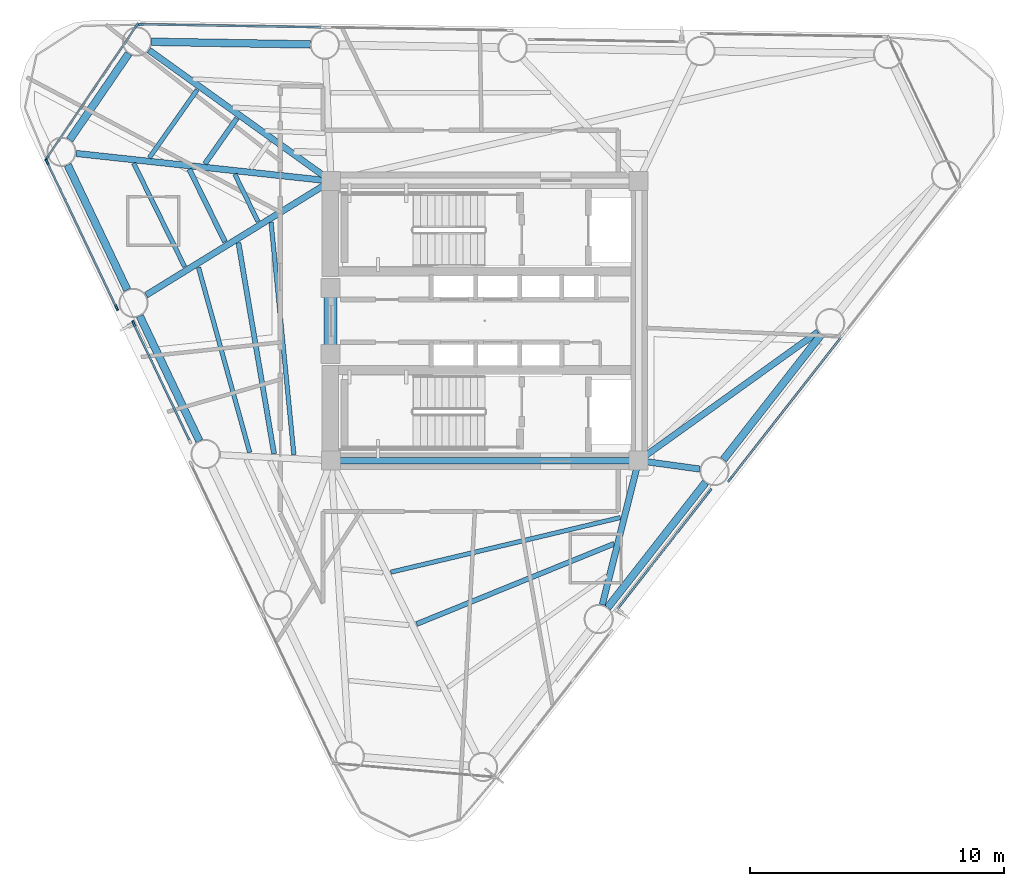
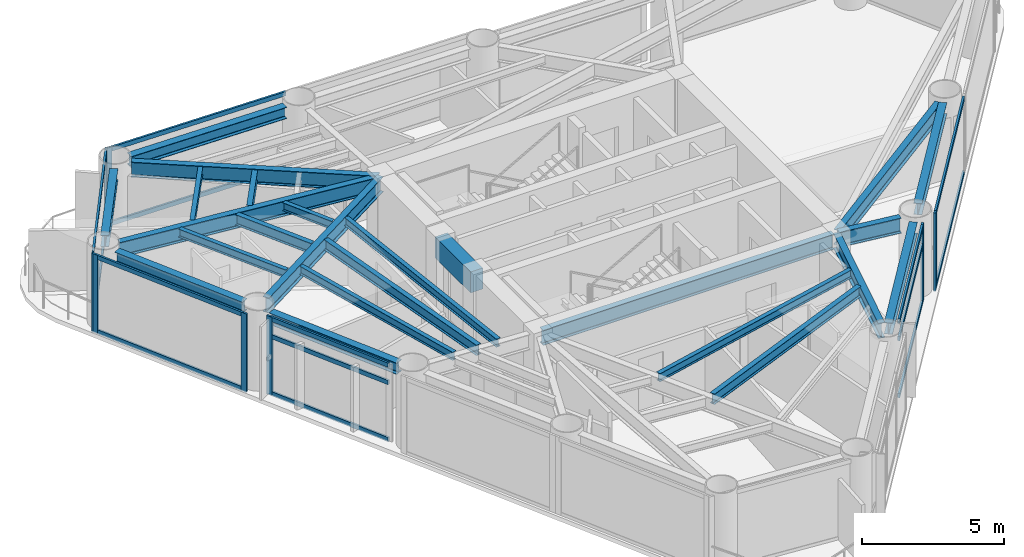
# One storey, part 2 of 10: 24 beams, 22 members, 6 elements without a shape of their own.
"""IFC4 building model written with IfcOpenShell, lengths in metres."""

from ifc_helpers import new_model, si_unit, direction, frame, origin, origin_2d, place, context, subcontext, project, spatial, rectangle, i_section, extrude, source, transform, mapped, material, layer, layer_set, material_profile, profile_set, type_object, element, aggregate, save


model = new_model("IFC4")

# Units and contexts
model_context = context("Model", 3, precision=1e-05, world=origin(), true_north=direction((0.0, 1.0)))
body_context = subcontext(model_context, "Body", "Model", "MODEL_VIEW")
ifc_project = project(units=[si_unit("LENGTHUNIT", "METRE"), si_unit("AREAUNIT", "SQUARE_METRE"), si_unit("VOLUMEUNIT", "CUBIC_METRE"), si_unit("PLANEANGLEUNIT", "RADIAN"), si_unit("MASSUNIT", "GRAM", prefix="KILO")], contexts=[model_context])

# Site, building, storey
site_placement = place(None, origin())
site = spatial("IfcSite", under=ifc_project, at=site_placement, CompositionType="ELEMENT")
building_placement = place(site_placement, origin())
building = spatial("IfcBuilding", under=site, at=building_placement, Name="Yunling Apex Tower", CompositionType="ELEMENT")
storey_placement = place(building_placement, frame((0.0, 0.0, 191.449951171875)))
storey = spatial("IfcBuildingStorey", under=building, at=storey_placement, Name="L46", CompositionType="ELEMENT", Elevation=191.449951171875)

# Beams
ifc_material_1 = material(Name="Concrete C50", Category="concrete")
ifc_material_profile_1 = material_profile(ifc_material_1, rectangle(XDim=0.5, YDim=0.89990234375, at=origin_2d()))
ifc_profile_set_1 = profile_set([ifc_material_profile_1], Name="Concrete C50")
beam_type_1 = type_object("IfcBeamType", Name="BC-CPL-2", PredefinedType="BEAM", material=ifc_profile_set_1)
shared_shape_1 = source(origin(), body_context, "Body", "SweptSolid", [
    extrude(rectangle(XDim=0.5, YDim=0.89990234375, at=origin_2d()), origin(), (0.0, 0.0, 1.0), 2.5),
])
beam_1_placement = place(storey_placement, frame((-6.074951171875, -1.25, 2.820068359375), z_axis=(0.0, 1.0, 0.0), x_axis=(-1.0, 0.0, 0.0)))
element("IfcBeam", 1, at=beam_1_placement, inside=storey, type_object=beam_type_1, Name="L46 Core West Portal Coupling Beam", PredefinedType="BEAM", context=body_context, shape_type="MappedRepresentation", body=[
    mapped(shared_shape_1, transform((0.0, 0.0, 0.0), scale=1.0)),
])
ifc_material_2 = material(Name="Steel Q355B", Category="steel")
ifc_material_profile_2 = material_profile(ifc_material_2, i_section(OverallWidth=0.25, OverallDepth=0.64990234375, WebThickness=0.011962890625, FlangeThickness=0.02001953125, FilletRadius=0.02392578125, at=origin_2d()))
ifc_profile_set_2 = profile_set([ifc_material_profile_2], Name="Steel Q355B")
beam_type_2 = type_object("IfcBeamType", Name="BG-PRI-4", PredefinedType="USERDEFINED", material=ifc_profile_set_2)
shared_shape_2 = source(origin(), body_context, "Body", "SweptSolid", [
    extrude(i_section(OverallWidth=0.25, OverallDepth=0.64990234375, WebThickness=0.011962890625, FlangeThickness=0.02001953125, FilletRadius=0.02392578125, at=origin_2d()), origin(), (0.0, 0.0, 1.0), 11.7998046875),
])
beam_2_placement = place(storey_placement, frame((-5.89990234375, -5.5, 2.945068359375), z_axis=(1.0, 0.0, 0.0), x_axis=(0.0, 1.0, 0.0)))
element("IfcBeam", 2, at=beam_2_placement, inside=storey, type_object=beam_type_2, Name="L46 Core Ring Tie Beam 1", ObjectType="GIRDER", PredefinedType="USERDEFINED", context=body_context, shape_type="MappedRepresentation", body=[
    mapped(shared_shape_2, transform((0.0, 0.0, 0.0), scale=1.0)),
])
ifc_material_profile_3 = material_profile(ifc_material_2, i_section(OverallWidth=0.300048828125, OverallDepth=0.489990234375, WebThickness=0.010986328125, FlangeThickness=0.01806640625, FilletRadius=0.02197265625, at=origin_2d()))
ifc_profile_set_3 = profile_set([ifc_material_profile_3], Name="Steel Q355B")
beam_type_3 = type_object("IfcBeamType", Name="BP-SPN-2", PredefinedType="SPANDREL", material=ifc_profile_set_3)
shared_shape_3 = source(origin(), body_context, "Body", "SweptSolid", [
    extrude(i_section(OverallWidth=0.300048828125, OverallDepth=0.489990234375, WebThickness=0.010986328125, FlangeThickness=0.01806640625, FilletRadius=0.02197265625, at=origin_2d()), origin(), (0.0, 0.0, 1.0), 6.253173828125),
])
for number, where, z_axis, x_axis, name in (
    (3, (4.831298828125, -11.2841796875, 3.025146484375), (0.61621666878, 0.787576673803, 0.0), (-0.787576673803, 0.61621666878, 0.0), "L46 Perimeter Spandrel Beam 2"),
    (4, (9.3857421875, -5.463134765625, 3.025146484375), (0.61621666878, 0.787576673803, 0.0), (-0.787576673803, 0.61621666878, 0.0), "L46 Perimeter Spandrel Beam 3"),
    (5, (-6.86669921875, 10.875, 3.025146484375), (-0.999859061432, 0.016788605428, 0.0), (-0.016788605428, -0.999859061432, 0.0), "L46 Perimeter Spandrel Beam 9"),
):
    element("IfcBeam", number, at=place(storey_placement, frame(where, z_axis=z_axis, x_axis=x_axis)), inside=storey, type_object=beam_type_3, Name=name, PredefinedType="SPANDREL", context=body_context, shape_type="MappedRepresentation", body=[
        mapped(shared_shape_3, transform((0.0, 0.0, 0.0), scale=1.0)),
    ])
shared_shape_4 = source(origin(), body_context, "Body", "SweptSolid", [
    extrude(i_section(OverallWidth=0.300048828125, OverallDepth=0.489990234375, WebThickness=0.010986328125, FlangeThickness=0.01806640625, FilletRadius=0.02197265625, at=origin_2d()), origin(), (0.0, 0.0, 1.0), 4.121337890625),
])
beam_3_placement = place(storey_placement, frame((-14.009033203125, 10.519775390625, 3.025146484375), z_axis=(-0.564775228093, -0.825244776858, 0.0), x_axis=(0.825244776858, -0.564775228093, 0.0)))
element("IfcBeam", 6, at=beam_3_placement, inside=storey, type_object=beam_type_3, Name="L46 Perimeter Spandrel Beam 10", PredefinedType="SPANDREL", context=body_context, shape_type="MappedRepresentation", body=[
    mapped(shared_shape_4, transform((0.0, 0.0, 0.0), scale=1.0)),
])
shared_shape_5 = source(origin(), body_context, "Body", "SweptSolid", [
    extrude(i_section(OverallWidth=0.300048828125, OverallDepth=0.489990234375, WebThickness=0.010986328125, FlangeThickness=0.01806640625, FilletRadius=0.02197265625, at=origin_2d()), origin(), (0.0, 0.0, 1.0), 5.4482421875),
])
for number, where, z_axis, x_axis, name in (
    (7, (-16.4130859375, 6.135498046875, 3.025146484375), (0.430538797564, -0.902572071246, 0.0), (0.902572071246, 0.430538797564, 0.0), "L46 Perimeter Spandrel Beam 11"),
    (8, (-13.577392578125, 0.190673828125, 3.025146484375), (0.430502292287, -0.902589483839, 0.0), (0.902589483839, 0.430502292287, 0.0), "L46 Perimeter Spandrel Beam 12"),
):
    element("IfcBeam", number, at=place(storey_placement, frame(where, z_axis=z_axis, x_axis=x_axis)), inside=storey, type_object=beam_type_3, Name=name, PredefinedType="SPANDREL", context=body_context, shape_type="MappedRepresentation", body=[
        mapped(shared_shape_5, transform((0.0, 0.0, 0.0), scale=1.0)),
    ])
shared_shape_6 = source(origin(), body_context, "Body", "SweptSolid", [
    extrude(i_section(OverallWidth=0.25, OverallDepth=0.64990234375, WebThickness=0.011962890625, FlangeThickness=0.02001953125, FilletRadius=0.02392578125, at=origin_2d()), origin(), (0.0, 0.0, 1.0), 5.763427734375),
])
beam_4_placement = place(storey_placement, frame((4.623291015625, -11.166748046875, 2.945068359375), z_axis=(0.244159894622, 0.969734987436, 0.0), x_axis=(-0.969734987436, 0.244159894622, 0.0)))
element("IfcBeam", 9, at=beam_4_placement, inside=storey, type_object=beam_type_2, Name="L46 Radial Primary Girder R02", ObjectType="GIRDER", PredefinedType="USERDEFINED", context=body_context, shape_type="MappedRepresentation", body=[
    mapped(shared_shape_6, transform((0.0, 0.0, 0.0), scale=1.0)),
])
shared_shape_7 = source(origin(), body_context, "Body", "SweptSolid", [
    extrude(i_section(OverallWidth=0.25, OverallDepth=0.64990234375, WebThickness=0.011962890625, FlangeThickness=0.02001953125, FilletRadius=0.02392578125, at=origin_2d()), origin(), (0.0, 0.0, 1.0), 2.35009765625),
])
beam_5_placement = place(storey_placement, frame((8.45751953125, -5.831787109375, 2.945068359375), z_axis=(-0.990639545436, 0.136503813203, 0.0), x_axis=(-0.136503813203, -0.990639545436, 0.0)))
element("IfcBeam", 10, at=beam_5_placement, inside=storey, type_object=beam_type_2, Name="L46 Radial Primary Girder R03", ObjectType="GIRDER", PredefinedType="USERDEFINED", context=body_context, shape_type="MappedRepresentation", body=[
    mapped(shared_shape_7, transform((0.0, 0.0, 0.0), scale=1.0)),
])
shared_shape_8 = source(origin(), body_context, "Body", "SweptSolid", [
    extrude(i_section(OverallWidth=0.25, OverallDepth=0.64990234375, WebThickness=0.011962890625, FlangeThickness=0.02001953125, FilletRadius=0.02392578125, at=origin_2d()), origin(), (0.0, 0.0, 1.0), 8.616455078125),
])
beam_6_placement = place(storey_placement, frame((13.11572265625, -0.43017578125, 2.945068359375), z_axis=(-0.812487192657, -0.58297904059, 0.0), x_axis=(0.58297904059, -0.812487192657, 0.0)))
element("IfcBeam", 11, at=beam_6_placement, inside=storey, type_object=beam_type_2, Name="L46 Radial Primary Girder R04", ObjectType="GIRDER", PredefinedType="USERDEFINED", context=body_context, shape_type="MappedRepresentation", body=[
    mapped(shared_shape_8, transform((0.0, 0.0, 0.0), scale=1.0)),
])
shared_shape_9 = source(origin(), body_context, "Body", "SweptSolid", [
    extrude(i_section(OverallWidth=0.25, OverallDepth=0.64990234375, WebThickness=0.011962890625, FlangeThickness=0.02001953125, FilletRadius=0.02392578125, at=origin_2d()), origin(), (0.0, 0.0, 1.0), 8.742919921875),
])
beam_7_placement = place(storey_placement, frame((-13.21435546875, 10.649169921875, 2.945068359375), z_axis=(0.812022401907, -0.583626266373, 0.0), x_axis=(0.583626266373, 0.812022401907, 0.0)))
element("IfcBeam", 12, at=beam_7_placement, inside=storey, type_object=beam_type_2, Name="L46 Radial Primary Girder R10", ObjectType="GIRDER", PredefinedType="USERDEFINED", context=body_context, shape_type="MappedRepresentation", body=[
    mapped(shared_shape_9, transform((0.0, 0.0, 0.0), scale=1.0)),
])
shared_shape_10 = source(origin(), body_context, "Body", "SweptSolid", [
    extrude(i_section(OverallWidth=0.25, OverallDepth=0.64990234375, WebThickness=0.011962890625, FlangeThickness=0.02001953125, FilletRadius=0.02392578125, at=origin_2d()), origin(), (0.0, 0.0, 1.0), 10.007080078125),
])
beam_8_placement = place(storey_placement, frame((-16.078369140625, 6.586181640625, 2.945068359375), z_axis=(0.994184902243, -0.107686490111, 0.0), x_axis=(0.107686490111, 0.994184902243, 0.0)))
element("IfcBeam", 13, at=beam_8_placement, inside=storey, type_object=beam_type_2, Name="L46 Radial Primary Girder R11", ObjectType="GIRDER", PredefinedType="USERDEFINED", context=body_context, shape_type="MappedRepresentation", body=[
    mapped(shared_shape_10, transform((0.0, 0.0, 0.0), scale=1.0)),
])
shared_shape_11 = source(origin(), body_context, "Body", "SweptSolid", [
    extrude(i_section(OverallWidth=0.25, OverallDepth=0.64990234375, WebThickness=0.011962890625, FlangeThickness=0.02001953125, FilletRadius=0.02392578125, at=origin_2d()), origin(), (0.0, 0.0, 1.0), 8.4697265625),
])
beam_9_placement = place(storey_placement, frame((-13.326171875, 1.010498046875, 2.945068359375), z_axis=(0.851035190572, 0.525108659621, 0.0), x_axis=(-0.525108659621, 0.851035190572, 0.0)))
element("IfcBeam", 14, at=beam_9_placement, inside=storey, type_object=beam_type_2, Name="L46 Radial Primary Girder R12", ObjectType="GIRDER", PredefinedType="USERDEFINED", context=body_context, shape_type="MappedRepresentation", body=[
    mapped(shared_shape_11, transform((0.0, 0.0, 0.0), scale=1.0)),
])
ifc_material_profile_4 = material_profile(ifc_material_2, i_section(OverallWidth=0.199951171875, OverallDepth=0.449951171875, WebThickness=0.009033203125, FlangeThickness=0.013916015625, FilletRadius=0.01806640625, at=origin_2d()))
ifc_profile_set_4 = profile_set([ifc_material_profile_4], Name="Steel Q355B")
beam_type_4 = type_object("IfcBeamType", Name="BS-SEC-3", PredefinedType="BEAM", material=ifc_profile_set_4)
shared_shape_12 = source(origin(), body_context, "Body", "SweptSolid", [
    extrude(i_section(OverallWidth=0.199951171875, OverallDepth=0.449951171875, WebThickness=0.009033203125, FlangeThickness=0.013916015625, FilletRadius=0.01806640625, at=origin_2d()), origin(), (0.0, 0.0, 1.0), 8.396240234375),
])
beam_10_placement = place(storey_placement, frame((-2.684326171875, -11.9287109375, 3.045166015625), z_axis=(0.926431402479, 0.376463619092, 0.0), x_axis=(-0.376463619092, 0.926431402479, 0.0)))
element("IfcBeam", 15, at=beam_10_placement, inside=storey, type_object=beam_type_4, Name="L46 Composite Floor Beam BS-1", PredefinedType="BEAM", context=body_context, shape_type="MappedRepresentation", body=[
    mapped(shared_shape_12, transform((0.0, 0.0, 0.0), scale=1.0)),
])
ifc_material_profile_5 = material_profile(ifc_material_2, i_section(OverallWidth=0.175048828125, OverallDepth=0.35009765625, WebThickness=0.007080078125, FlangeThickness=0.010986328125, FilletRadius=0.013916015625, at=origin_2d()))
ifc_profile_set_5 = profile_set([ifc_material_profile_5], Name="Steel Q355B")
beam_type_5 = type_object("IfcBeamType", Name="BJ-JST-1", PredefinedType="JOIST", material=ifc_profile_set_5)
shared_shape_13 = source(origin(), body_context, "Body", "SweptSolid", [
    extrude(i_section(OverallWidth=0.175048828125, OverallDepth=0.35009765625, WebThickness=0.007080078125, FlangeThickness=0.010986328125, FilletRadius=0.013916015625, at=origin_2d()), origin(), (0.0, 0.0, 1.0), 9.2919921875),
])
beam_11_placement = place(storey_placement, frame((-3.69970703125, -9.88916015625, 3.094970703125), z_axis=(0.972847358166, 0.231447656523, 0.0), x_axis=(-0.231447656523, 0.972847358166, 0.0)))
element("IfcBeam", 16, at=beam_11_placement, inside=storey, type_object=beam_type_5, Name="L46 Composite Floor Joist BJ3-1", PredefinedType="JOIST", context=body_context, shape_type="MappedRepresentation", body=[
    mapped(shared_shape_13, transform((0.0, 0.0, 0.0), scale=1.0)),
])
shared_shape_14 = source(origin(), body_context, "Body", "SweptSolid", [
    extrude(i_section(OverallWidth=0.199951171875, OverallDepth=0.449951171875, WebThickness=0.009033203125, FlangeThickness=0.013916015625, FilletRadius=0.01806640625, at=origin_2d()), origin(), (0.0, 0.0, 1.0), 2.18505859375),
])
beam_12_placement = place(storey_placement, frame((-9.756591796875, 7.966796875, 3.045166015625), z_axis=(-0.57454920808, -0.818470040682, 0.0), x_axis=(0.818470040682, -0.57454920808, 0.0)))
element("IfcBeam", 17, at=beam_12_placement, inside=storey, type_object=beam_type_4, Name="L46 Composite Floor Beam BS-10", PredefinedType="BEAM", context=body_context, shape_type="MappedRepresentation", body=[
    mapped(shared_shape_14, transform((0.0, 0.0, 0.0), scale=1.0)),
])
shared_shape_15 = source(origin(), body_context, "Body", "SweptSolid", [
    extrude(i_section(OverallWidth=0.175048828125, OverallDepth=0.35009765625, WebThickness=0.007080078125, FlangeThickness=0.010986328125, FilletRadius=0.013916015625, at=origin_2d()), origin(), (0.0, 0.0, 1.0), 3.270263671875),
])
beam_13_placement = place(storey_placement, frame((-11.318603515625, 9.089599609375, 3.094970703125), z_axis=(-0.575524843555, -0.817784295797, 0.0), x_axis=(0.817784295797, -0.575524843555, 0.0)))
element("IfcBeam", 18, at=beam_13_placement, inside=storey, type_object=beam_type_5, Name="L46 Composite Floor Joist BJ1-10", PredefinedType="JOIST", context=body_context, shape_type="MappedRepresentation", body=[
    mapped(shared_shape_15, transform((0.0, 0.0, 0.0), scale=1.0)),
])
shared_shape_16 = source(origin(), body_context, "Body", "SweptSolid", [
    extrude(i_section(OverallWidth=0.199951171875, OverallDepth=0.449951171875, WebThickness=0.009033203125, FlangeThickness=0.013916015625, FilletRadius=0.01806640625, at=origin_2d()), origin(), (0.0, 0.0, 1.0), 3.1845703125),
])
beam_14_placement = place(storey_placement, frame((-11.63037109375, 5.968505859375, 3.045166015625), z_axis=(0.441285246196, -0.897366887895, 0.0), x_axis=(0.897366887895, 0.441285246196, 0.0)))
element("IfcBeam", 19, at=beam_14_placement, inside=storey, type_object=beam_type_4, Name="L46 Composite Floor Beam BS-11", PredefinedType="BEAM", context=body_context, shape_type="MappedRepresentation", body=[
    mapped(shared_shape_16, transform((0.0, 0.0, 0.0), scale=1.0)),
])
shared_shape_17 = source(origin(), body_context, "Body", "SweptSolid", [
    extrude(i_section(OverallWidth=0.175048828125, OverallDepth=0.35009765625, WebThickness=0.007080078125, FlangeThickness=0.010986328125, FilletRadius=0.013916015625, at=origin_2d()), origin(), (0.0, 0.0, 1.0), 4.541259765625),
])
beam_15_placement = place(storey_placement, frame((-13.81884765625, 6.205810546875, 3.094970703125), z_axis=(0.442066776363, -0.896982143209, 0.0), x_axis=(0.896982143209, 0.442066776363, 0.0)))
element("IfcBeam", 20, at=beam_15_placement, inside=storey, type_object=beam_type_5, Name="L46 Composite Floor Joist BJ1-11", PredefinedType="JOIST", context=body_context, shape_type="MappedRepresentation", body=[
    mapped(shared_shape_17, transform((0.0, 0.0, 0.0), scale=1.0)),
])
shared_shape_18 = source(origin(), body_context, "Body", "SweptSolid", [
    extrude(i_section(OverallWidth=0.175048828125, OverallDepth=0.35009765625, WebThickness=0.007080078125, FlangeThickness=0.010986328125, FilletRadius=0.013916015625, at=origin_2d()), origin(), (0.0, 0.0, 1.0), 2.07421875),
])
beam_16_placement = place(storey_placement, frame((-9.839599609375, 5.7744140625, 3.094970703125), z_axis=(0.439758949759, -0.898115842254, 0.0), x_axis=(0.898115842254, 0.439758949759, 0.0)))
element("IfcBeam", 21, at=beam_16_placement, inside=storey, type_object=beam_type_5, Name="L46 Composite Floor Joist BJ3-11", PredefinedType="JOIST", context=body_context, shape_type="MappedRepresentation", body=[
    mapped(shared_shape_18, transform((0.0, 0.0, 0.0), scale=1.0)),
])
shared_shape_19 = source(origin(), body_context, "Body", "SweptSolid", [
    extrude(i_section(OverallWidth=0.199951171875, OverallDepth=0.449951171875, WebThickness=0.009033203125, FlangeThickness=0.013916015625, FilletRadius=0.01806640625, at=origin_2d()), origin(), (0.0, 0.0, 1.0), 8.41943359375),
])
beam_17_placement = place(storey_placement, frame((-9.695556640625, 3.076416015625, 3.045166015625), z_axis=(0.16647230798, -0.986046130095, 0.0), x_axis=(0.986046130095, 0.16647230798, 0.0)))
element("IfcBeam", 22, at=beam_17_placement, inside=storey, type_object=beam_type_4, Name="L46 Composite Floor Beam BS-12", PredefinedType="BEAM", context=body_context, shape_type="MappedRepresentation", body=[
    mapped(shared_shape_19, transform((0.0, 0.0, 0.0), scale=1.0)),
])
shared_shape_20 = source(origin(), body_context, "Body", "SweptSolid", [
    extrude(i_section(OverallWidth=0.175048828125, OverallDepth=0.35009765625, WebThickness=0.007080078125, FlangeThickness=0.010986328125, FilletRadius=0.013916015625, at=origin_2d()), origin(), (0.0, 0.0, 1.0), 7.554931640625),
])
beam_18_placement = place(storey_placement, frame((-11.265380859375, 2.1015625, 3.094970703125), z_axis=(0.266700380195, -0.963779490965, 0.0), x_axis=(0.963779490965, 0.266700380195, 0.0)))
element("IfcBeam", 23, at=beam_18_placement, inside=storey, type_object=beam_type_5, Name="L46 Composite Floor Joist BJ1-12", PredefinedType="JOIST", context=body_context, shape_type="MappedRepresentation", body=[
    mapped(shared_shape_20, transform((0.0, 0.0, 0.0), scale=1.0)),
])
shared_shape_21 = source(origin(), body_context, "Body", "SweptSolid", [
    extrude(i_section(OverallWidth=0.175048828125, OverallDepth=0.35009765625, WebThickness=0.007080078125, FlangeThickness=0.010986328125, FilletRadius=0.013916015625, at=origin_2d()), origin(), (0.0, 0.0, 1.0), 9.183837890625),
])
beam_19_placement = place(storey_placement, frame((-8.4091796875, 3.87548828125, 3.094970703125), z_axis=(0.097534767925, -0.995232118174, 0.0), x_axis=(0.995232118174, 0.097534767925, 0.0)))
element("IfcBeam", 24, at=beam_19_placement, inside=storey, type_object=beam_type_5, Name="L46 Composite Floor Joist BJ3-12", PredefinedType="JOIST", context=body_context, shape_type="MappedRepresentation", body=[
    mapped(shared_shape_21, transform((0.0, 0.0, 0.0), scale=1.0)),
])

# Curtain wall, member
ifc_material_3 = material(Name="Bronze anodised aluminium", Category="aluminium")
ifc_layer = layer(ifc_material_3, 0.239990234375)
ifc_layer_set = layer_set([ifc_layer], Name="Bronze anodised aluminium")
curtain_wall_type = type_object("IfcCurtainWallType", Name="CW-SYS-3", PredefinedType="NOTDEFINED", material=ifc_layer_set)
curtain_wall_1_placement = place(storey_placement, origin())
curtain_wall_1 = element("IfcCurtainWall", 25, at=curtain_wall_1_placement, inside=storey, type_object=curtain_wall_type, Name="CW-L46-F1-B2", PredefinedType="NOTDEFINED")
ifc_material_profile_6 = material_profile(ifc_material_3, rectangle(XDim=0.080078125, YDim=0.239990234375, at=origin_2d()))
ifc_profile_set_6 = profile_set([ifc_material_profile_6], Name="Bronze anodised aluminium")
member_type_1 = type_object("IfcMemberType", Name="CW-MUL-3", PredefinedType="MULLION", material=ifc_profile_set_6)
shared_shape_22 = source(origin(), body_context, "Body", "SweptSolid", [
    extrude(rectangle(XDim=0.080078125, YDim=0.239990234375, at=origin_2d()), origin(), (0.0, 0.0, 1.0), 3.3701171875),
])
member_1_placement = place(storey_placement, frame((8.846923828125, -6.70361328125, -0.050048828125), z_axis=(0.0, 0.0, 1.0), x_axis=(-0.787576499109, 0.616216892053, 0.0)))
member_1 = element("IfcMember", 26, at=member_1_placement, type_object=member_type_1, Name="CW-SYS-3 mullion 2", PredefinedType="MULLION", context=body_context, shape_type="MappedRepresentation", body=[
    mapped(shared_shape_22, transform((0.0, 0.0, 0.0), scale=1.0)),
])

curtain_wall_2_placement = place(storey_placement, origin())
curtain_wall_2 = element("IfcCurtainWall", 27, at=curtain_wall_2_placement, inside=storey, type_object=curtain_wall_type, Name="CW-L46-F1-B3", PredefinedType="NOTDEFINED")
member_2_placement = place(storey_placement, frame((9.64453125, -6.23583984375, -0.050048828125), z_axis=(0.0, 0.0, 1.0), x_axis=(-0.787589332433, 0.616200489644, 0.0)))
member_2 = element("IfcMember", 28, at=member_2_placement, type_object=member_type_1, Name="CW-SYS-3 mullion 1", PredefinedType="MULLION", context=body_context, shape_type="MappedRepresentation", body=[
    mapped(shared_shape_22, transform((0.0, 0.0, 0.0), scale=1.0)),
])

curtain_wall_3_placement = place(storey_placement, origin())
curtain_wall_3 = element("IfcCurtainWall", 29, at=curtain_wall_3_placement, inside=storey, type_object=curtain_wall_type, Name="CW-L46-F2-B4", PredefinedType="NOTDEFINED")
member_3_placement = place(storey_placement, frame((-13.556396484375, 11.667236328125, -0.050048828125), z_axis=(0.0, 0.0, 1.0), x_axis=(-0.016761362354, -0.999859518498, 0.0)))
member_3 = element("IfcMember", 30, at=member_3_placement, type_object=member_type_1, Name="CW-SYS-3 mullion 2", PredefinedType="MULLION", context=body_context, shape_type="MappedRepresentation", body=[
    mapped(shared_shape_22, transform((0.0, 0.0, 0.0), scale=1.0)),
])

# Curtain wall, members
curtain_wall_4_placement = place(storey_placement, origin())
curtain_wall_4 = element("IfcCurtainWall", 31, at=curtain_wall_4_placement, inside=storey, type_object=curtain_wall_type, Name="CW-L46-CRN2", PredefinedType="NOTDEFINED")
member_4_placement = place(storey_placement, frame((-13.698974609375, 11.6162109375, -0.050048828125), z_axis=(0.0, 0.0, 1.0), x_axis=(0.828106898006, -0.56057021458, 0.0)))
member_4 = element("IfcMember", 32, at=member_4_placement, type_object=member_type_1, Name="CW-SYS-3 mullion 1", PredefinedType="MULLION", context=body_context, shape_type="MappedRepresentation", body=[
    mapped(shared_shape_22, transform((0.0, 0.0, 0.0), scale=1.0)),
])
member_5_placement = place(storey_placement, frame((-17.231201171875, 6.398193359375, -0.050048828125), z_axis=(0.0, 0.0, 1.0), x_axis=(0.828106898006, -0.56057021458, 0.0)))
member_5 = element("IfcMember", 33, at=member_5_placement, type_object=member_type_1, Name="CW-SYS-3 mullion 2", PredefinedType="MULLION", context=body_context, shape_type="MappedRepresentation", body=[
    mapped(shared_shape_22, transform((0.0, 0.0, 0.0), scale=1.0)),
])

curtain_wall_5_placement = place(storey_placement, origin())
curtain_wall_5 = element("IfcCurtainWall", 34, at=curtain_wall_5_placement, inside=storey, type_object=curtain_wall_type, Name="CW-L46-F3-B1", PredefinedType="NOTDEFINED")
member_6_placement = place(storey_placement, frame((-17.219970703125, 6.248046875, -0.050048828125), z_axis=(0.0, 0.0, 1.0), x_axis=(0.902582193367, 0.430517577128, 0.0)))
member_6 = element("IfcMember", 35, at=member_6_placement, type_object=member_type_1, Name="CW-SYS-3 mullion 1", PredefinedType="MULLION", context=body_context, shape_type="MappedRepresentation", body=[
    mapped(shared_shape_22, transform((0.0, 0.0, 0.0), scale=1.0)),
])
member_7_placement = place(storey_placement, frame((-14.48779296875, 0.52001953125, -0.050048828125), z_axis=(0.0, 0.0, 1.0), x_axis=(0.902582193367, 0.430517577128, 0.0)))
member_7 = element("IfcMember", 36, at=member_7_placement, type_object=member_type_1, Name="CW-SYS-3 mullion 2", PredefinedType="MULLION", context=body_context, shape_type="MappedRepresentation", body=[
    mapped(shared_shape_22, transform((0.0, 0.0, 0.0), scale=1.0)),
])

# Curtain wall, member
curtain_wall_6_placement = place(storey_placement, origin())
curtain_wall_6 = element("IfcCurtainWall", 37, at=curtain_wall_6_placement, inside=storey, type_object=curtain_wall_type, Name="CW-L46-F3-B2", PredefinedType="NOTDEFINED")
member_8_placement = place(storey_placement, frame((-13.810791015625, -0.110107421875, -0.050048828125), z_axis=(0.0, 0.0, 1.0), x_axis=(0.902583049107, 0.430515783062, 0.0)))
member_8 = element("IfcMember", 38, at=member_8_placement, type_object=member_type_1, Name="CW-SYS-3 mullion 1", PredefinedType="MULLION", context=body_context, shape_type="MappedRepresentation", body=[
    mapped(shared_shape_22, transform((0.0, 0.0, 0.0), scale=1.0)),
])

# Member
ifc_material_profile_7 = material_profile(ifc_material_3, rectangle(XDim=0.080078125, YDim=0.18505859375, at=origin_2d()))
ifc_profile_set_7 = profile_set([ifc_material_profile_7], Name="Bronze anodised aluminium")
member_type_2 = type_object("IfcMemberType", Name="CW-TRN-3", PredefinedType="USERDEFINED", material=ifc_profile_set_7)
shared_shape_23 = source(origin(), body_context, "Body", "SweptSolid", [
    extrude(rectangle(XDim=0.080078125, YDim=0.18505859375, at=origin_2d()), origin(), (0.0, 0.0, 1.0), 5.8388671875),
])
member_9_placement = place(storey_placement, frame((5.226806640625, -11.33056640625, 0.0400390625), z_axis=(0.616198894741, 0.787590580264, 0.0), x_axis=(-0.787590580264, 0.616198894741, 0.0)))
member_9 = element("IfcMember", 39, at=member_9_placement, type_object=member_type_2, Name="CW-SYS-3 transom 1.1", ObjectType="TRANSOM", PredefinedType="USERDEFINED", context=body_context, shape_type="MappedRepresentation", body=[
    mapped(shared_shape_23, transform((0.0, 0.0, 0.0), scale=1.0)),
])

member_10_placement = place(storey_placement, frame((5.226806640625, -11.33056640625, 2.4853515625), z_axis=(0.616198894741, 0.787590580264, 0.0), x_axis=(-0.787590580264, 0.616198894741, 0.0)))
member_10 = element("IfcMember", 40, at=member_10_placement, type_object=member_type_2, Name="CW-SYS-3 transom 1.2", ObjectType="TRANSOM", PredefinedType="USERDEFINED", context=body_context, shape_type="MappedRepresentation", body=[
    mapped(shared_shape_23, transform((0.0, 0.0, 0.0), scale=1.0)),
])

member_11_placement = place(storey_placement, frame((5.226806640625, -11.33056640625, 3.22998046875), z_axis=(0.616198894741, 0.787590580264, 0.0), x_axis=(-0.787590580264, 0.616198894741, 0.0)))
member_11 = element("IfcMember", 41, at=member_11_placement, type_object=member_type_2, Name="CW-SYS-3 transom 1.3", ObjectType="TRANSOM", PredefinedType="USERDEFINED", context=body_context, shape_type="MappedRepresentation", body=[
    mapped(shared_shape_23, transform((0.0, 0.0, 0.0), scale=1.0)),
])

aggregate(curtain_wall_1, [member_1, member_9, member_10, member_11])

shared_shape_24 = source(origin(), body_context, "Body", "SweptSolid", [
    extrude(rectangle(XDim=0.080078125, YDim=0.18505859375, at=origin_2d()), origin(), (0.0, 0.0, 1.0), 7.0791015625),
])
member_12_placement = place(storey_placement, frame((9.666748046875, -6.20751953125, 0.0400390625), z_axis=(0.616192015574, 0.78759596237, 0.0), x_axis=(-0.78759596237, 0.616192015574, 0.0)))
member_12 = element("IfcMember", 42, at=member_12_placement, type_object=member_type_2, Name="CW-SYS-3 transom 1.1", ObjectType="TRANSOM", PredefinedType="USERDEFINED", context=body_context, shape_type="MappedRepresentation", body=[
    mapped(shared_shape_24, transform((0.0, 0.0, 0.0), scale=1.0)),
])

member_13_placement = place(storey_placement, frame((9.666748046875, -6.20751953125, 3.22998046875), z_axis=(0.616192015574, 0.78759596237, 0.0), x_axis=(-0.78759596237, 0.616192015574, 0.0)))
member_13 = element("IfcMember", 43, at=member_13_placement, type_object=member_type_2, Name="CW-SYS-3 transom 1.2", ObjectType="TRANSOM", PredefinedType="USERDEFINED", context=body_context, shape_type="MappedRepresentation", body=[
    mapped(shared_shape_24, transform((0.0, 0.0, 0.0), scale=1.0)),
])

aggregate(curtain_wall_2, [member_2, member_12, member_13])

shared_shape_25 = source(origin(), body_context, "Body", "SweptSolid", [
    extrude(rectangle(XDim=0.080078125, YDim=0.18505859375, at=origin_2d()), origin(), (0.0, 0.0, 1.0), 7.078857421875),
])
member_14_placement = place(storey_placement, frame((-6.4423828125, 11.548095703125, 0.0400390625), z_axis=(-0.999859516724, 0.016761468219, 0.0), x_axis=(-0.016761468219, -0.999859516724, 0.0)))
member_14 = element("IfcMember", 44, at=member_14_placement, type_object=member_type_2, Name="CW-SYS-3 transom 1.1", ObjectType="TRANSOM", PredefinedType="USERDEFINED", context=body_context, shape_type="MappedRepresentation", body=[
    mapped(shared_shape_25, transform((0.0, 0.0, 0.0), scale=1.0)),
])

member_15_placement = place(storey_placement, frame((-6.4423828125, 11.548095703125, 3.22998046875), z_axis=(-0.999859516724, 0.016761468219, 0.0), x_axis=(-0.016761468219, -0.999859516724, 0.0)))
member_15 = element("IfcMember", 45, at=member_15_placement, type_object=member_type_2, Name="CW-SYS-3 transom 1.2", ObjectType="TRANSOM", PredefinedType="USERDEFINED", context=body_context, shape_type="MappedRepresentation", body=[
    mapped(shared_shape_25, transform((0.0, 0.0, 0.0), scale=1.0)),
])

aggregate(curtain_wall_3, [member_3, member_14, member_15])

shared_shape_26 = source(origin(), body_context, "Body", "SweptSolid", [
    extrude(rectangle(XDim=0.080078125, YDim=0.18505859375, at=origin_2d()), origin(), (0.0, 0.0, 1.0), 6.229248046875),
])
member_16_placement = place(storey_placement, frame((-13.71923828125, 11.58642578125, 0.0400390625), z_axis=(-0.560574268249, -0.828104153942, 0.0), x_axis=(0.828104153942, -0.560574268249, 0.0)))
member_16 = element("IfcMember", 46, at=member_16_placement, type_object=member_type_2, Name="CW-SYS-3 transom 1.1", ObjectType="TRANSOM", PredefinedType="USERDEFINED", context=body_context, shape_type="MappedRepresentation", body=[
    mapped(shared_shape_26, transform((0.0, 0.0, 0.0), scale=1.0)),
])

member_17_placement = place(storey_placement, frame((-13.71923828125, 11.58642578125, 3.22998046875), z_axis=(-0.560574268249, -0.828104153942, 0.0), x_axis=(0.828104153942, -0.560574268249, 0.0)))
member_17 = element("IfcMember", 47, at=member_17_placement, type_object=member_type_2, Name="CW-SYS-3 transom 1.2", ObjectType="TRANSOM", PredefinedType="USERDEFINED", context=body_context, shape_type="MappedRepresentation", body=[
    mapped(shared_shape_26, transform((0.0, 0.0, 0.0), scale=1.0)),
])

aggregate(curtain_wall_4, [member_4, member_5, member_16, member_17])

shared_shape_27 = source(origin(), body_context, "Body", "SweptSolid", [
    extrude(rectangle(XDim=0.080078125, YDim=0.18505859375, at=origin_2d()), origin(), (0.0, 0.0, 1.0), 6.2744140625),
])
member_18_placement = place(storey_placement, frame((-17.20458984375, 6.215576171875, 0.0400390625), z_axis=(0.430513491492, -0.902584142141, 0.0), x_axis=(0.902584142141, 0.430513491492, 0.0)))
member_18 = element("IfcMember", 48, at=member_18_placement, type_object=member_type_2, Name="CW-SYS-3 transom 1.1", ObjectType="TRANSOM", PredefinedType="USERDEFINED", context=body_context, shape_type="MappedRepresentation", body=[
    mapped(shared_shape_27, transform((0.0, 0.0, 0.0), scale=1.0)),
])

member_19_placement = place(storey_placement, frame((-17.20458984375, 6.215576171875, 3.22998046875), z_axis=(0.430513491492, -0.902584142141, 0.0), x_axis=(0.902584142141, 0.430513491492, 0.0)))
member_19 = element("IfcMember", 49, at=member_19_placement, type_object=member_type_2, Name="CW-SYS-3 transom 1.2", ObjectType="TRANSOM", PredefinedType="USERDEFINED", context=body_context, shape_type="MappedRepresentation", body=[
    mapped(shared_shape_27, transform((0.0, 0.0, 0.0), scale=1.0)),
])

aggregate(curtain_wall_5, [member_6, member_7, member_18, member_19])

shared_shape_28 = source(origin(), body_context, "Body", "SweptSolid", [
    extrude(rectangle(XDim=0.080078125, YDim=0.18505859375, at=origin_2d()), origin(), (0.0, 0.0, 1.0), 5.034423828125),
])
member_20_placement = place(storey_placement, frame((-13.795166015625, -0.142578125, 0.0400390625), z_axis=(0.430492583081, -0.902594114712, 0.0), x_axis=(0.902594114712, 0.430492583081, 0.0)))
member_20 = element("IfcMember", 50, at=member_20_placement, type_object=member_type_2, Name="CW-SYS-3 transom 1.1", ObjectType="TRANSOM", PredefinedType="USERDEFINED", context=body_context, shape_type="MappedRepresentation", body=[
    mapped(shared_shape_28, transform((0.0, 0.0, 0.0), scale=1.0)),
])

member_21_placement = place(storey_placement, frame((-13.795166015625, -0.142578125, 2.4853515625), z_axis=(0.430492583081, -0.902594114712, 0.0), x_axis=(0.902594114712, 0.430492583081, 0.0)))
member_21 = element("IfcMember", 51, at=member_21_placement, type_object=member_type_2, Name="CW-SYS-3 transom 1.2", ObjectType="TRANSOM", PredefinedType="USERDEFINED", context=body_context, shape_type="MappedRepresentation", body=[
    mapped(shared_shape_28, transform((0.0, 0.0, 0.0), scale=1.0)),
])

member_22_placement = place(storey_placement, frame((-13.795166015625, -0.142578125, 3.22998046875), z_axis=(0.430492583081, -0.902594114712, 0.0), x_axis=(0.902594114712, 0.430492583081, 0.0)))
member_22 = element("IfcMember", 52, at=member_22_placement, type_object=member_type_2, Name="CW-SYS-3 transom 1.3", ObjectType="TRANSOM", PredefinedType="USERDEFINED", context=body_context, shape_type="MappedRepresentation", body=[
    mapped(shared_shape_28, transform((0.0, 0.0, 0.0), scale=1.0)),
])

aggregate(curtain_wall_6, [member_8, member_20, member_21, member_22])

save(model, "model.ifc")
